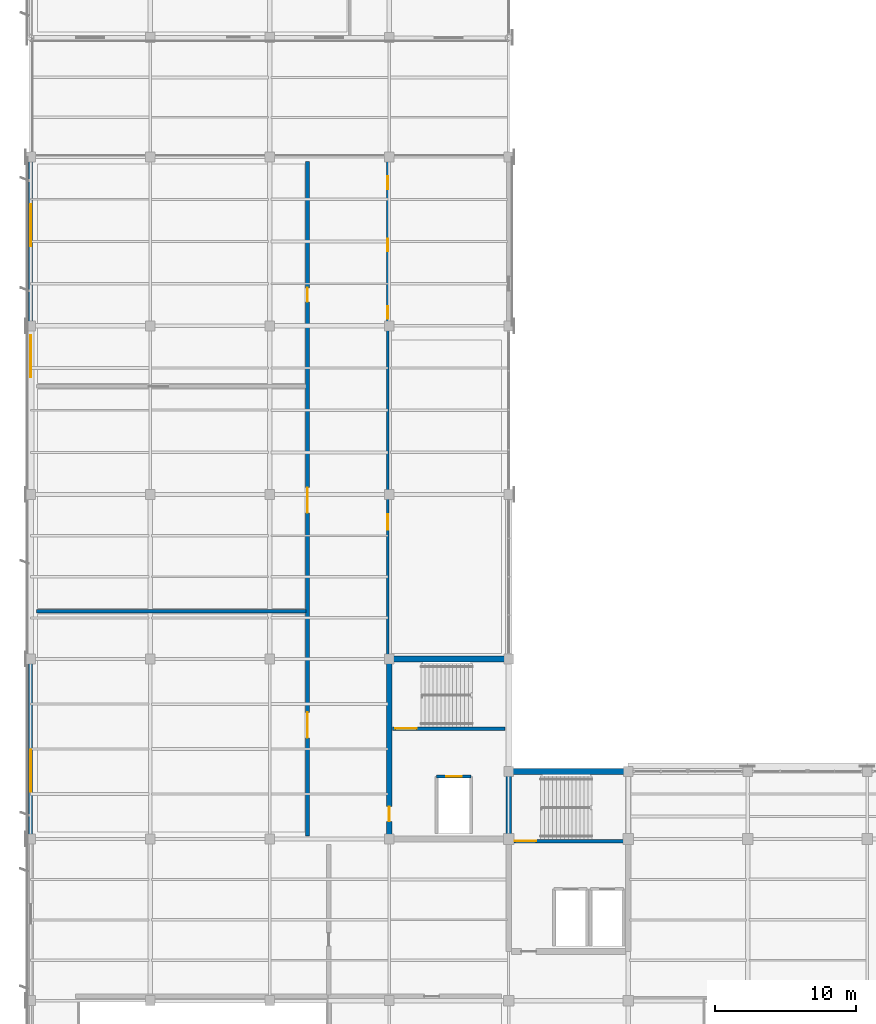
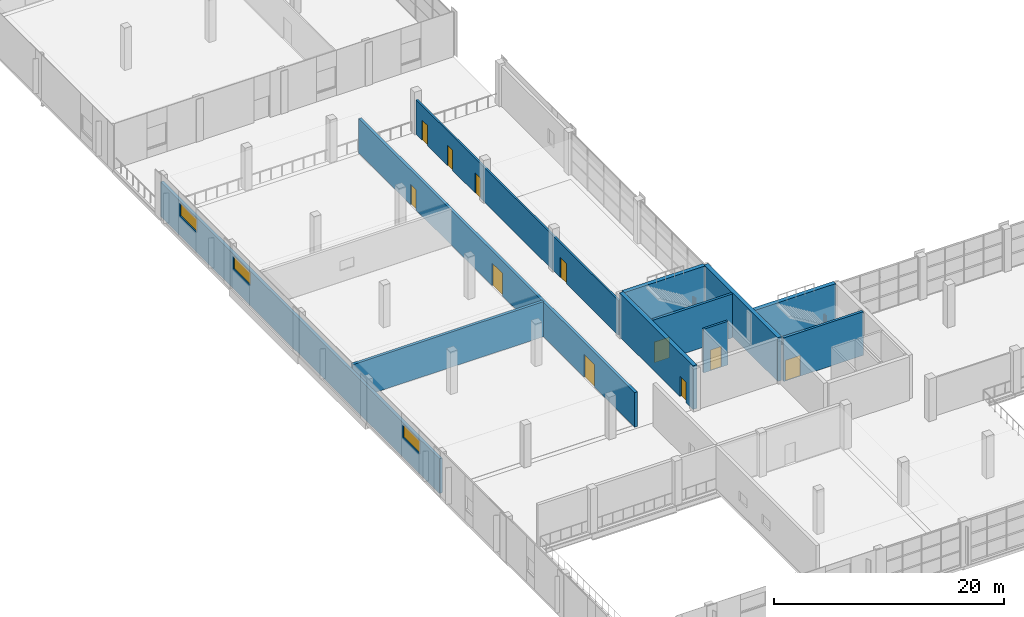
# One storey, part 83 of 101: 11 doors, 11 walls, 3 windows, 14 openings.
"""IFC4 building model written with IfcOpenShell, lengths in metres."""

from ifc_helpers import new_model, si_unit, direction, frame, frame_2d, origin, place, context, subcontext, project, spatial, rectangle, extrude, material, layer, layer_set, type_object, element, fill, save


model = new_model("IFC4")

# Units and contexts
model_context = context("Model", 3, precision=1e-05, world=origin(), true_north=direction((0.0, 1.0)))
body_context = subcontext(model_context, "Body", "Model", "MODEL_VIEW")
ifc_project = project(units=[si_unit("LENGTHUNIT", "METRE"), si_unit("AREAUNIT", "SQUARE_METRE"), si_unit("VOLUMEUNIT", "CUBIC_METRE"), si_unit("PLANEANGLEUNIT", "RADIAN"), si_unit("MASSUNIT", "GRAM", prefix="KILO")], contexts=[model_context])

# Site, building, storey
site_placement = place(None, origin())
site = spatial("IfcSite", under=ifc_project, at=site_placement, CompositionType="ELEMENT")
building_placement = place(site_placement, origin())
building = spatial("IfcBuilding", under=site, at=building_placement, Name="Solvikara Media Centre", CompositionType="ELEMENT")
storey_placement = place(building_placement, frame((0.0, 0.0, 10.199951171875)))
storey = spatial("IfcBuildingStorey", under=building, at=storey_placement, Name="L02", CompositionType="ELEMENT", Elevation=10.199951171875)

# Wall, opening, door
ifc_material_1 = material(Name="Concrete fc' 45 MPa (C45/55)", Category="concrete")
ifc_layer_1 = layer(ifc_material_1, 0.39990234375)
ifc_layer_set_1 = layer_set([ifc_layer_1], Name="Concrete fc' 45 MPa (C45/55)")
wall_type_1 = type_object("IfcWallType", Name="WT-02", PredefinedType="SHEAR", material=ifc_layer_set_1)
wall_1_placement = place(storey_placement, frame((25.5, 32.0, 0.0), z_axis=(0.0, 0.0, 1.0), x_axis=(0.0, 1.0, 0.0)))
wall_1 = element("IfcWall", 1, at=wall_1_placement, inside=storey, type_object=wall_type_1, Name="CW-C1-L02-W", PredefinedType="SHEAR", context=body_context, shape_type="SweptSolid", body=[
    extrude(rectangle(XDim=12.800048828125, YDim=0.39990234375, at=frame_2d((6.39990234375, 0.0))), origin(), (0.0, 0.0, 1.0), 4.64013671875),
])
opening_1_placement = place(wall_1_placement, frame((1.25, 0.0, 0.0)))
opening_1 = element("IfcOpeningElement", 2, at=opening_1_placement, cuts=wall_1, Name="Opening D-C1-L02-LOB", PredefinedType="OPENING", context=body_context, shape_type="SweptSolid", body=[
    extrude(rectangle(XDim=1.050048828125, YDim=2.14990234375, at=frame_2d((0.52490234375, 1.074951171875))), frame((0.0, 0.2119140625, 0.0), z_axis=(0.0, -1.0, 0.0), x_axis=(1.0, 0.0, 0.0)), (0.0, 0.0, 1.0), 0.423828125),
])
ifc_material_2 = material(Name="Insulated fire-rated steel door leaf", Category="steel")
door_type_1 = type_object("IfcDoorType", Name="DT-10", OperationType="NOTDEFINED", PredefinedType="DOOR", material=ifc_material_2)
door_1_placement = place(opening_1_placement, origin())
door_1 = element("IfcDoor", 3, at=door_1_placement, inside=storey, type_object=door_type_1, Name="D-C1-L02-LOB", OperationType="SINGLE_SWING_RIGHT", OverallHeight=2.14990234375, OverallWidth=1.050048828125, PredefinedType="DOOR", context=body_context, shape_type="SweptSolid", body=[
    extrude(rectangle(XDim=1.050048828125, YDim=2.14990234375, at=frame_2d((0.52490234375, 1.074951171875))), frame((0.0, 0.02490234375, 0.0), z_axis=(0.0, -1.0, 0.0), x_axis=(1.0, 0.0, 0.0)), (0.0, 0.0, 1.0), 0.050048828125),
])
fill(opening_1, door_1)

# Walls
wall_2_placement = place(storey_placement, frame((34.0, 32.0, 0.0), z_axis=(0.0, 0.0, 1.0), x_axis=(0.0, 1.0, 0.0)))
element("IfcWall", 4, at=wall_2_placement, inside=storey, type_object=wall_type_1, Name="CW-C1-L02-E", PredefinedType="SHEAR", context=body_context, shape_type="SweptSolid", body=[
    extrude(rectangle(XDim=12.800048828125, YDim=0.39990234375, at=frame_2d((6.39990234375, 0.0))), origin(), (0.0, 0.0, 1.0), 4.64013671875),
])
for number, where, z_axis, x_axis, name in (
    (5, (25.699951171875, 44.800048828125, 0.0), (0.0, 0.0, 1.0), (1.0, 0.0, 0.0), "CW-C1-L02-N"),
    (6, (34.199951171875, 36.800048828125, 0.0), (0.0, 0.0, 1.0), (1.0, 0.0, 0.0), "CW-C2-L02-N"),
):
    element("IfcWall", number, at=place(storey_placement, frame(where, z_axis=z_axis, x_axis=x_axis)), inside=storey, type_object=wall_type_1, Name=name, PredefinedType="SHEAR", context=body_context, shape_type="SweptSolid", body=[
        extrude(rectangle(XDim=8.10009765625, YDim=0.39990234375, at=frame_2d((4.050048828125, 0.0))), origin(), (0.0, 0.0, 1.0), 4.64013671875),
    ])

# Wall, opening, door
ifc_layer_2 = layer(ifc_material_1, 0.25)
ifc_layer_set_2 = layer_set([ifc_layer_2], Name="Concrete fc' 45 MPa (C45/55)")
wall_type_2 = type_object("IfcWallType", Name="WT-07", PredefinedType="STANDARD", material=ifc_layer_set_2)
wall_3_placement = place(storey_placement, frame((25.75, 39.85009765625, 0.0), z_axis=(0.0, 0.0, 1.0), x_axis=(1.0, 0.0, 0.0)))
wall_3 = element("IfcWall", 7, at=wall_3_placement, inside=storey, type_object=wall_type_2, Name="CW-C1-L02-SD", PredefinedType="STANDARD", context=body_context, shape_type="SweptSolid", body=[
    extrude(rectangle(XDim=8.0, YDim=0.25, at=frame_2d((4.0, 0.0))), origin(), (0.0, 0.0, 1.0), 4.64013671875),
])
opening_2_placement = place(wall_3_placement, frame((0.199951171875, 0.0, 0.0)))
opening_2 = element("IfcOpeningElement", 8, at=opening_2_placement, cuts=wall_3, Name="Opening D-C1-L02-ST", PredefinedType="OPENING", context=body_context, shape_type="SweptSolid", body=[
    extrude(rectangle(XDim=1.5, YDim=2.199951171875, at=frame_2d((0.75, 1.10009765625))), frame((0.0, 0.136962890625, 0.0), z_axis=(0.0, -1.0, 0.0), x_axis=(1.0, 0.0, 0.0)), (0.0, 0.0, 1.0), 0.27392578125),
])
door_type_2 = type_object("IfcDoorType", Name="DT-08", OperationType="DOUBLE_DOOR_SINGLE_SWING", PredefinedType="DOOR", material=ifc_material_2)
door_2_placement = place(opening_2_placement, frame((1.5, 0.0, 0.0), z_axis=(0.0, 0.0, 1.0), x_axis=(-1.0, 0.0, 0.0)))
door_2 = element("IfcDoor", 9, at=door_2_placement, inside=storey, type_object=door_type_2, Name="D-C1-L02-ST", OperationType="DOUBLE_DOOR_SINGLE_SWING", OverallHeight=2.199951171875, OverallWidth=1.5, PredefinedType="DOOR", context=body_context, shape_type="SweptSolid", body=[
    extrude(rectangle(XDim=1.5, YDim=2.199951171875, at=frame_2d((0.75, 1.10009765625))), frame((0.0, 0.02490234375, 0.0), z_axis=(0.0, -1.0, 0.0), x_axis=(1.0, 0.0, 0.0)), (0.0, 0.0, 1.0), 0.050048828125),
])
fill(opening_2, door_2)

wall_4_placement = place(storey_placement, frame((34.25, 31.85009765625, 0.0), z_axis=(0.0, 0.0, 1.0), x_axis=(1.0, 0.0, 0.0)))
wall_4 = element("IfcWall", 10, at=wall_4_placement, inside=storey, type_object=wall_type_2, Name="CW-C2-L02-SD", PredefinedType="STANDARD", context=body_context, shape_type="SweptSolid", body=[
    extrude(rectangle(XDim=8.0, YDim=0.25, at=frame_2d((4.0, 0.0))), origin(), (0.0, 0.0, 1.0), 4.64013671875),
])
opening_3_placement = place(wall_4_placement, frame((0.199951171875, 0.0, 0.0)))
opening_3 = element("IfcOpeningElement", 11, at=opening_3_placement, cuts=wall_4, Name="Opening D-C2-L02-ST", PredefinedType="OPENING", context=body_context, shape_type="SweptSolid", body=[
    extrude(rectangle(XDim=1.5, YDim=2.199951171875, at=frame_2d((0.75, 1.10009765625))), frame((0.0, 0.136962890625, 0.0), z_axis=(0.0, -1.0, 0.0), x_axis=(1.0, 0.0, 0.0)), (0.0, 0.0, 1.0), 0.27392578125),
])
door_3_placement = place(opening_3_placement, frame((1.5, 0.0, 0.0), z_axis=(0.0, 0.0, 1.0), x_axis=(-1.0, 0.0, 0.0)))
door_3 = element("IfcDoor", 12, at=door_3_placement, inside=storey, type_object=door_type_2, Name="D-C2-L02-ST", OperationType="DOUBLE_DOOR_SINGLE_SWING", OverallHeight=2.199951171875, OverallWidth=1.5, PredefinedType="DOOR", context=body_context, shape_type="SweptSolid", body=[
    extrude(rectangle(XDim=1.5, YDim=2.199951171875, at=frame_2d((0.75, 1.10009765625))), frame((0.0, 0.02490234375, 0.0), z_axis=(0.0, -1.0, 0.0), x_axis=(1.0, 0.0, 0.0)), (0.0, 0.0, 1.0), 0.050048828125),
])
fill(opening_3, door_3)

# Wall, openings, windows
ifc_material_3 = material(Name="Precast concrete fc' 40 MPa (C40/50)", Category="concrete")
ifc_layer_3 = layer(ifc_material_3, 0.2900390625)
ifc_layer_set_3 = layer_set([ifc_layer_3], Name="Precast concrete fc' 40 MPa (C40/50)")
wall_type_3 = type_object("IfcWallType", Name="WT-11", PredefinedType="STANDARD", material=ifc_layer_set_3)
wall_5_placement = place(storey_placement, frame((0.0, 32.0, 0.0), z_axis=(0.0, 0.0, 1.0), x_axis=(0.0, 1.0, 0.0)))
wall_5 = element("IfcWall", 13, at=wall_5_placement, inside=storey, type_object=wall_type_3, Name="EW-L02-V4-W", PredefinedType="STANDARD", context=body_context, shape_type="SweptSolid", body=[
    extrude(rectangle(XDim=48.5, YDim=0.2900390625, at=frame_2d((24.25, 0.0))), origin(), (0.0, 0.0, 1.0), 3.679931640625),
])
opening_4_placement = place(wall_5_placement, frame((3.35009765625, 0.0, 2.1201171875)))
opening_4 = element("IfcOpeningElement", 14, at=opening_4_placement, cuts=wall_5, Name="Opening W-L02-V4W-W01", PredefinedType="OPENING", context=body_context, shape_type="SweptSolid", body=[
    extrude(rectangle(XDim=3.0, YDim=1.39990234375, at=frame_2d((1.5, 0.699951171875))), frame((0.0, 0.156982421875, 0.0), z_axis=(0.0, -1.0, 0.0), x_axis=(1.0, 0.0, 0.0)), (0.0, 0.0, 1.0), 0.31396484375),
])
opening_5_placement = place(wall_5_placement, frame((32.830078125, 0.0, 2.1201171875)))
opening_5 = element("IfcOpeningElement", 15, at=opening_5_placement, cuts=wall_5, Name="Opening W-L02-V4W-W04", PredefinedType="OPENING", context=body_context, shape_type="SweptSolid", body=[
    extrude(rectangle(XDim=3.0, YDim=1.39990234375, at=frame_2d((1.5, 0.699951171875))), frame((0.0, 0.156982421875, 0.0), z_axis=(0.0, -1.0, 0.0), x_axis=(1.0, 0.0, 0.0)), (0.0, 0.0, 1.0), 0.31396484375),
])
opening_6_placement = place(wall_5_placement, frame((42.14990234375, 0.0, 2.1201171875)))
opening_6 = element("IfcOpeningElement", 16, at=opening_6_placement, cuts=wall_5, Name="Opening W-L02-V4W-W05", PredefinedType="OPENING", context=body_context, shape_type="SweptSolid", body=[
    extrude(rectangle(XDim=3.0, YDim=1.39990234375, at=frame_2d((1.5, 0.699951171875))), frame((0.0, 0.156982421875, 0.0), z_axis=(0.0, -1.0, 0.0), x_axis=(1.0, 0.0, 0.0)), (0.0, 0.0, 1.0), 0.31396484375),
])
ifc_material_4 = material(Name="Double-glazed low-E architectural glass", Category="glass")
window_type = type_object("IfcWindowType", Name="WN-10", PartitioningType="SINGLE_PANEL", PredefinedType="WINDOW", material=ifc_material_4)
window_1_placement = place(opening_4_placement, origin())
window_1 = element("IfcWindow", 17, at=window_1_placement, inside=storey, type_object=window_type, Name="W-L02-V4W-W01", OverallHeight=1.39990234375, OverallWidth=3.0, PartitioningType="SINGLE_PANEL", PredefinedType="WINDOW", context=body_context, shape_type="SweptSolid", body=[
    extrude(rectangle(XDim=3.0, YDim=1.39990234375, at=frame_2d((1.5, 0.699951171875))), frame((0.0, 0.030029296875, 0.0), z_axis=(0.0, -1.0, 0.0), x_axis=(1.0, 0.0, 0.0)), (0.0, 0.0, 1.0), 0.06005859375),
])
fill(opening_4, window_1)
window_2_placement = place(opening_5_placement, origin())
window_2 = element("IfcWindow", 18, at=window_2_placement, inside=storey, type_object=window_type, Name="W-L02-V4W-W04", OverallHeight=1.39990234375, OverallWidth=3.0, PartitioningType="SINGLE_PANEL", PredefinedType="WINDOW", context=body_context, shape_type="SweptSolid", body=[
    extrude(rectangle(XDim=3.0, YDim=1.39990234375, at=frame_2d((1.5, 0.699951171875))), frame((0.0, 0.030029296875, 0.0), z_axis=(0.0, -1.0, 0.0), x_axis=(1.0, 0.0, 0.0)), (0.0, 0.0, 1.0), 0.06005859375),
])
fill(opening_5, window_2)
window_3_placement = place(opening_6_placement, origin())
window_3 = element("IfcWindow", 19, at=window_3_placement, inside=storey, type_object=window_type, Name="W-L02-V4W-W05", OverallHeight=1.39990234375, OverallWidth=3.0, PartitioningType="SINGLE_PANEL", PredefinedType="WINDOW", context=body_context, shape_type="SweptSolid", body=[
    extrude(rectangle(XDim=3.0, YDim=1.39990234375, at=frame_2d((1.5, 0.699951171875))), frame((0.0, 0.030029296875, 0.0), z_axis=(0.0, -1.0, 0.0), x_axis=(1.0, 0.0, 0.0)), (0.0, 0.0, 1.0), 0.06005859375),
])
fill(opening_6, window_3)

# Wall, openings, doors
ifc_material_5 = material(Name="Double-stud acoustic gypsum partition assembly")
ifc_layer_4 = layer(ifc_material_5, 0.27001953125)
ifc_layer_set_4 = layer_set([ifc_layer_4], Name="Double-stud acoustic gypsum partition assembly")
wall_type_4 = type_object("IfcWallType", Name="WT-16", PredefinedType="PARTITIONING", material=ifc_layer_set_4)
wall_6_placement = place(storey_placement, frame((19.699951171875, 32.199951171875, 0.0), z_axis=(0.0, 0.0, 1.0), x_axis=(0.0, 1.0, 0.0)))
wall_6 = element("IfcWall", 20, at=wall_6_placement, inside=storey, type_object=wall_type_4, Name="PW-L02-060", PredefinedType="PARTITIONING", context=body_context, shape_type="SweptSolid", body=[
    extrude(rectangle(XDim=48.0, YDim=0.27001953125, at=frame_2d((24.0, 0.0))), origin(), (0.0, 0.0, 1.0), 3.679931640625),
])
opening_7_placement = place(wall_6_placement, frame((7.0, 0.0, 0.0)))
opening_7 = element("IfcOpeningElement", 21, at=opening_7_placement, cuts=wall_6, Name="Opening D-L02-060-1", PredefinedType="OPENING", context=body_context, shape_type="SweptSolid", body=[
    extrude(rectangle(XDim=1.800048828125, YDim=2.39990234375, at=frame_2d((0.89990234375, 1.199951171875))), frame((0.0, 0.14697265625, 0.0), z_axis=(0.0, -1.0, 0.0), x_axis=(1.0, 0.0, 0.0)), (0.0, 0.0, 1.0), 0.2939453125),
])
opening_8_placement = place(wall_6_placement, frame((23.0, 0.0, 0.0)))
opening_8 = element("IfcOpeningElement", 22, at=opening_8_placement, cuts=wall_6, Name="Opening D-L02-060-2", PredefinedType="OPENING", context=body_context, shape_type="SweptSolid", body=[
    extrude(rectangle(XDim=1.800048828125, YDim=2.39990234375, at=frame_2d((0.89990234375, 1.199951171875))), frame((0.0, 0.14697265625, 0.0), z_axis=(0.0, -1.0, 0.0), x_axis=(1.0, 0.0, 0.0)), (0.0, 0.0, 1.0), 0.2939453125),
])
opening_9_placement = place(wall_6_placement, frame((38.0, 0.0, 0.0)))
opening_9 = element("IfcOpeningElement", 23, at=opening_9_placement, cuts=wall_6, Name="Opening D-L02-060-3", PredefinedType="OPENING", context=body_context, shape_type="SweptSolid", body=[
    extrude(rectangle(XDim=1.0, YDim=2.14990234375, at=frame_2d((0.5, 1.074951171875))), frame((0.0, 0.14697265625, 0.0), z_axis=(0.0, -1.0, 0.0), x_axis=(1.0, 0.0, 0.0)), (0.0, 0.0, 1.0), 0.2939453125),
])
ifc_material_6 = material(Name="Solid core acoustic hardwood timber", Category="wood")
door_type_3 = type_object("IfcDoorType", Name="DT-12", OperationType="DOUBLE_DOOR_SINGLE_SWING", PredefinedType="DOOR", material=ifc_material_6)
door_4_placement = place(opening_7_placement, frame((1.800048828125, 0.0, 0.0), z_axis=(0.0, 0.0, 1.0), x_axis=(-1.0, 0.0, 0.0)))
door_4 = element("IfcDoor", 24, at=door_4_placement, inside=storey, type_object=door_type_3, Name="D-L02-060-1", OperationType="DOUBLE_DOOR_SINGLE_SWING", OverallHeight=2.39990234375, OverallWidth=1.800048828125, PredefinedType="DOOR", context=body_context, shape_type="SweptSolid", body=[
    extrude(rectangle(XDim=1.800048828125, YDim=2.39990234375, at=frame_2d((0.89990234375, 1.199951171875))), frame((0.0, 0.02490234375, 0.0), z_axis=(0.0, -1.0, 0.0), x_axis=(1.0, 0.0, 0.0)), (0.0, 0.0, 1.0), 0.050048828125),
])
fill(opening_7, door_4)
door_5_placement = place(opening_8_placement, frame((1.800048828125, 0.0, 0.0), z_axis=(0.0, 0.0, 1.0), x_axis=(-1.0, 0.0, 0.0)))
door_5 = element("IfcDoor", 25, at=door_5_placement, inside=storey, type_object=door_type_3, Name="D-L02-060-2", OperationType="DOUBLE_DOOR_SINGLE_SWING", OverallHeight=2.39990234375, OverallWidth=1.800048828125, PredefinedType="DOOR", context=body_context, shape_type="SweptSolid", body=[
    extrude(rectangle(XDim=1.800048828125, YDim=2.39990234375, at=frame_2d((0.89990234375, 1.199951171875))), frame((0.0, 0.02490234375, 0.0), z_axis=(0.0, -1.0, 0.0), x_axis=(1.0, 0.0, 0.0)), (0.0, 0.0, 1.0), 0.050048828125),
])
fill(opening_8, door_5)
door_type_4 = type_object("IfcDoorType", Name="DT-16", OperationType="NOTDEFINED", PredefinedType="DOOR", material=ifc_material_6)
door_6_placement = place(opening_9_placement, origin())
door_6 = element("IfcDoor", 26, at=door_6_placement, inside=storey, type_object=door_type_4, Name="D-L02-060-3", OperationType="SINGLE_SWING_LEFT", OverallHeight=2.14990234375, OverallWidth=1.0, PredefinedType="DOOR", context=body_context, shape_type="SweptSolid", body=[
    extrude(rectangle(XDim=1.0, YDim=2.14990234375, at=frame_2d((0.5, 1.074951171875))), frame((0.0, 0.02490234375, 0.0), z_axis=(0.0, -1.0, 0.0), x_axis=(1.0, 0.0, 0.0)), (0.0, 0.0, 1.0), 0.050048828125),
])
fill(opening_9, door_6)

# Wall
wall_7_placement = place(storey_placement, frame((0.39990234375, 48.199951171875, 0.0), z_axis=(0.0, 0.0, 1.0), x_axis=(1.0, 0.0, 0.0)))
element("IfcWall", 27, at=wall_7_placement, inside=storey, type_object=wall_type_4, Name="PW-L02-061", PredefinedType="PARTITIONING", context=body_context, shape_type="SweptSolid", body=[
    extrude(rectangle(XDim=19.2001953125, YDim=0.27001953125, at=frame_2d((9.60009765625, 0.0))), origin(), (0.0, 0.0, 1.0), 3.72802734375),
])

# Wall, opening, door
ifc_material_7 = material(Name="Fire-rated gypsum and mineral-wool shaft wall assembly")
ifc_layer_5 = layer(ifc_material_7, 0.2099609375)
ifc_layer_set_5 = layer_set([ifc_layer_5], Name="Fire-rated gypsum and mineral-wool shaft wall assembly")
wall_type_5 = type_object("IfcWallType", Name="WT-17", PredefinedType="PARTITIONING", material=ifc_layer_set_5)
wall_8_placement = place(storey_placement, frame((28.8798828125, 36.449951171875, 0.0), z_axis=(0.0, 0.0, 1.0), x_axis=(1.0, 0.0, 0.0)))
wall_8 = element("IfcWall", 28, at=wall_8_placement, inside=storey, type_object=wall_type_5, Name="LW-LF-S1-L02-N", PredefinedType="PARTITIONING", context=body_context, shape_type="SweptSolid", body=[
    extrude(rectangle(XDim=2.440185546875, YDim=0.2099609375, at=frame_2d((1.22021484375, 0.0))), origin(), (0.0, 0.0, 1.0), 4.64013671875),
])
opening_10_placement = place(wall_8_placement, frame((0.669921875, 0.0, 0.0)))
opening_10 = element("IfcOpeningElement", 29, at=opening_10_placement, cuts=wall_8, Name="Opening LD-LF-S1-L02", PredefinedType="OPENING", context=body_context, shape_type="SweptSolid", body=[
    extrude(rectangle(XDim=1.10009765625, YDim=2.199951171875, at=frame_2d((0.550048828125, 1.10009765625))), frame((0.0, 0.116943359375, 0.0), z_axis=(0.0, -1.0, 0.0), x_axis=(1.0, 0.0, 0.0)), (0.0, 0.0, 1.0), 0.23388671875),
])
door_type_5 = type_object("IfcDoorType", Name="LD-01", OperationType="DOUBLE_DOOR_SLIDING", PredefinedType="DOOR", material=ifc_material_2)
door_7_placement = place(opening_10_placement, origin())
door_7 = element("IfcDoor", 30, at=door_7_placement, inside=storey, type_object=door_type_5, Name="LD-LF-S1-L02", OperationType="DOUBLE_DOOR_SLIDING", OverallHeight=2.199951171875, OverallWidth=1.10009765625, PredefinedType="DOOR", context=body_context, shape_type="SweptSolid", body=[
    extrude(rectangle(XDim=1.10009765625, YDim=2.199951171875, at=frame_2d((0.550048828125, 1.10009765625))), frame((0.0, 0.02490234375, 0.0), z_axis=(0.0, -1.0, 0.0), x_axis=(1.0, 0.0, 0.0)), (0.0, 0.0, 1.0), 0.050048828125),
])
fill(opening_10, door_7)

# Wall, openings, doors
ifc_layer_6 = layer(ifc_material_7, 0.179931640625)
ifc_layer_set_6 = layer_set([ifc_layer_6], Name="Fire-rated gypsum and mineral-wool shaft wall assembly")
wall_type_6 = type_object("IfcWallType", Name="WT-18", PredefinedType="PARTITIONING", material=ifc_layer_set_6)
wall_9_placement = place(storey_placement, frame((25.39990234375, 45.0, 0.0), z_axis=(0.0, 0.0, 1.0), x_axis=(0.0, 1.0, 0.0)))
wall_9 = element("IfcWall", 31, at=wall_9_placement, inside=storey, type_object=wall_type_6, Name="PW-L02-063", PredefinedType="PARTITIONING", context=body_context, shape_type="SweptSolid", body=[
    extrude(rectangle(XDim=35.199951171875, YDim=0.179931640625, at=frame_2d((17.60009765625, 0.0))), origin(), (0.0, 0.0, 1.0), 3.679931640625),
])
opening_11_placement = place(wall_9_placement, frame((9.0, 0.0, 0.0)))
opening_11 = element("IfcOpeningElement", 32, at=opening_11_placement, cuts=wall_9, Name="Opening D-L02-063-1", PredefinedType="OPENING", context=body_context, shape_type="SweptSolid", body=[
    extrude(rectangle(XDim=1.10009765625, YDim=2.14990234375, at=frame_2d((0.550048828125, 1.074951171875))), frame((0.0, 0.10205078125, 0.0), z_axis=(0.0, -1.0, 0.0), x_axis=(1.0, 0.0, 0.0)), (0.0, 0.0, 1.0), 0.203857421875),
])
opening_12_placement = place(wall_9_placement, frame((24.0, 0.0, 0.0)))
opening_12 = element("IfcOpeningElement", 33, at=opening_12_placement, cuts=wall_9, Name="Opening D-L02-063-2", PredefinedType="OPENING", context=body_context, shape_type="SweptSolid", body=[
    extrude(rectangle(XDim=0.89990234375, YDim=2.14990234375, at=frame_2d((0.449951171875, 1.074951171875))), frame((0.0, 0.10205078125, 0.0), z_axis=(0.0, -1.0, 0.0), x_axis=(1.0, 0.0, 0.0)), (0.0, 0.0, 1.0), 0.203857421875),
])
opening_13_placement = place(wall_9_placement, frame((28.800048828125, 0.0, 0.0)))
opening_13 = element("IfcOpeningElement", 34, at=opening_13_placement, cuts=wall_9, Name="Opening D-L02-063-3", PredefinedType="OPENING", context=body_context, shape_type="SweptSolid", body=[
    extrude(rectangle(XDim=0.89990234375, YDim=2.14990234375, at=frame_2d((0.449951171875, 1.074951171875))), frame((0.0, 0.10205078125, 0.0), z_axis=(0.0, -1.0, 0.0), x_axis=(1.0, 0.0, 0.0)), (0.0, 0.0, 1.0), 0.203857421875),
])
opening_14_placement = place(wall_9_placement, frame((33.199951171875, 0.0, 0.0)))
opening_14 = element("IfcOpeningElement", 35, at=opening_14_placement, cuts=wall_9, Name="Opening D-L02-063-4", PredefinedType="OPENING", context=body_context, shape_type="SweptSolid", body=[
    extrude(rectangle(XDim=0.949951171875, YDim=2.14990234375, at=frame_2d((0.47509765625, 1.074951171875))), frame((0.0, 0.10205078125, 0.0), z_axis=(0.0, -1.0, 0.0), x_axis=(1.0, 0.0, 0.0)), (0.0, 0.0, 1.0), 0.203857421875),
])
door_type_6 = type_object("IfcDoorType", Name="DT-17", OperationType="NOTDEFINED", PredefinedType="DOOR", material=ifc_material_6)
door_8_placement = place(opening_14_placement, frame((0.949951171875, 0.0, 0.0), z_axis=(0.0, 0.0, 1.0), x_axis=(-1.0, 0.0, 0.0)))
door_8 = element("IfcDoor", 36, at=door_8_placement, inside=storey, type_object=door_type_6, Name="D-L02-063-4", OperationType="SINGLE_SWING_LEFT", OverallHeight=2.14990234375, OverallWidth=0.949951171875, PredefinedType="DOOR", context=body_context, shape_type="SweptSolid", body=[
    extrude(rectangle(XDim=0.949951171875, YDim=2.14990234375, at=frame_2d((0.47509765625, 1.074951171875))), frame((0.0, 0.02490234375, 0.0), z_axis=(0.0, -1.0, 0.0), x_axis=(1.0, 0.0, 0.0)), (0.0, 0.0, 1.0), 0.050048828125),
])
fill(opening_14, door_8)
door_type_7 = type_object("IfcDoorType", Name="DT-18", OperationType="NOTDEFINED", PredefinedType="DOOR", material=ifc_material_6)
door_9_placement = place(opening_12_placement, origin())
door_9 = element("IfcDoor", 37, at=door_9_placement, inside=storey, type_object=door_type_7, Name="D-L02-063-2", OperationType="SINGLE_SWING_LEFT", OverallHeight=2.14990234375, OverallWidth=0.89990234375, PredefinedType="DOOR", context=body_context, shape_type="SweptSolid", body=[
    extrude(rectangle(XDim=0.89990234375, YDim=2.14990234375, at=frame_2d((0.449951171875, 1.074951171875))), frame((0.0, 0.02490234375, 0.0), z_axis=(0.0, -1.0, 0.0), x_axis=(1.0, 0.0, 0.0)), (0.0, 0.0, 1.0), 0.050048828125),
])
fill(opening_12, door_9)
door_10_placement = place(opening_13_placement, origin())
door_10 = element("IfcDoor", 38, at=door_10_placement, inside=storey, type_object=door_type_7, Name="D-L02-063-3", OperationType="SINGLE_SWING_RIGHT", OverallHeight=2.14990234375, OverallWidth=0.89990234375, PredefinedType="DOOR", context=body_context, shape_type="SweptSolid", body=[
    extrude(rectangle(XDim=0.89990234375, YDim=2.14990234375, at=frame_2d((0.449951171875, 1.074951171875))), frame((0.0, 0.02490234375, 0.0), z_axis=(0.0, -1.0, 0.0), x_axis=(1.0, 0.0, 0.0)), (0.0, 0.0, 1.0), 0.050048828125),
])
fill(opening_13, door_10)
door_type_8 = type_object("IfcDoorType", Name="DT-19", OperationType="NOTDEFINED", PredefinedType="DOOR", material=ifc_material_6)
door_11_placement = place(opening_11_placement, origin())
door_11 = element("IfcDoor", 39, at=door_11_placement, inside=storey, type_object=door_type_8, Name="D-L02-063-1", OperationType="SINGLE_SWING_RIGHT", OverallHeight=2.14990234375, OverallWidth=1.10009765625, PredefinedType="DOOR", context=body_context, shape_type="SweptSolid", body=[
    extrude(rectangle(XDim=1.10009765625, YDim=2.14990234375, at=frame_2d((0.550048828125, 1.074951171875))), frame((0.0, 0.02490234375, 0.0), z_axis=(0.0, -1.0, 0.0), x_axis=(1.0, 0.0, 0.0)), (0.0, 0.0, 1.0), 0.050048828125),
])
fill(opening_11, door_11)

save(model, "model.ifc")
